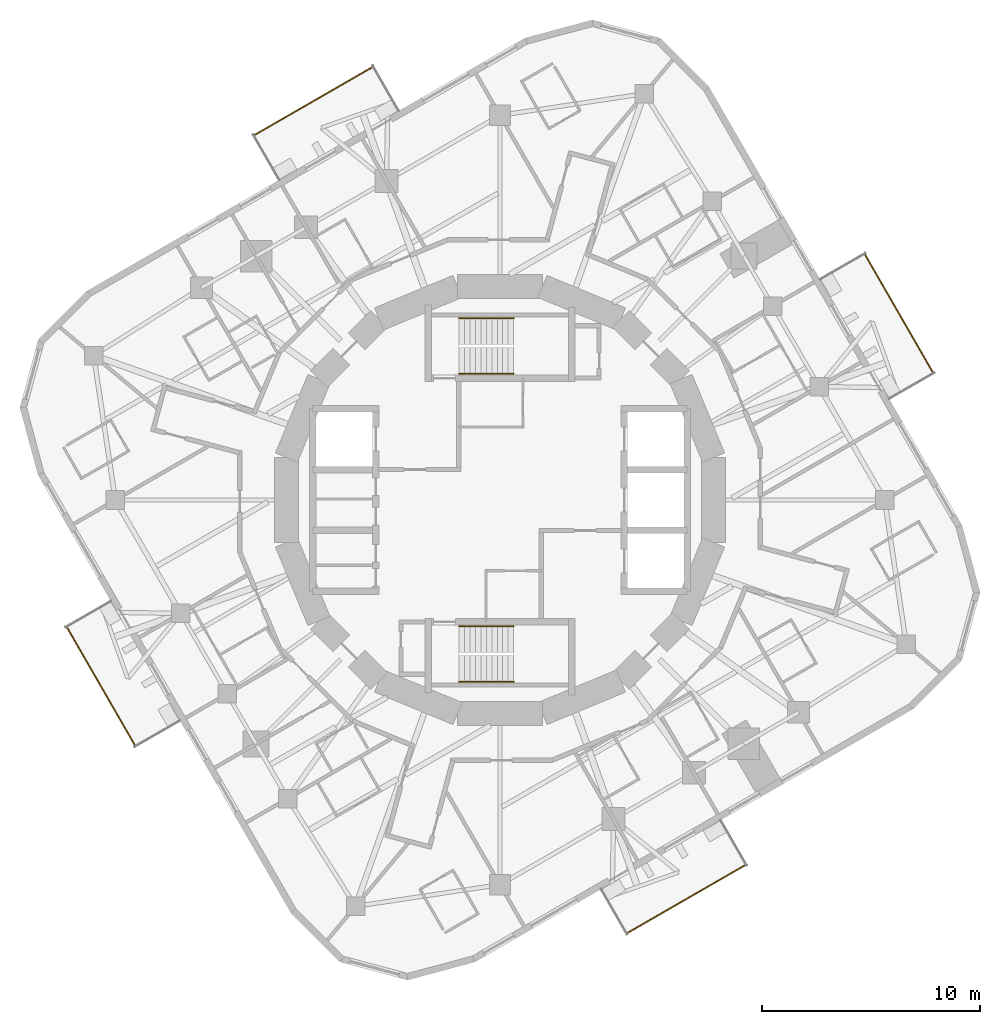
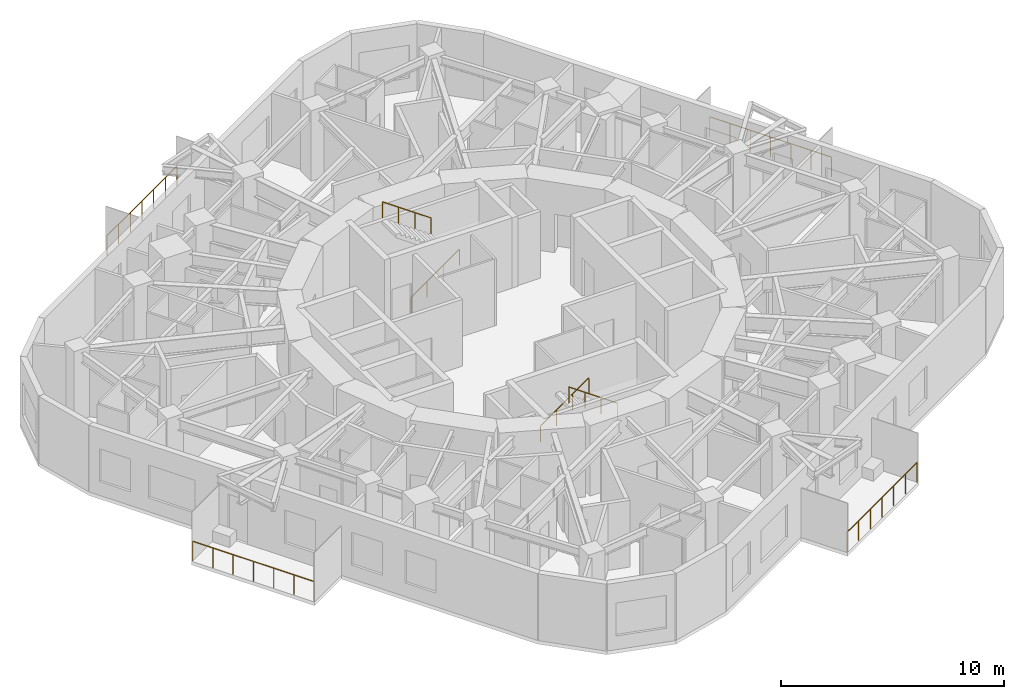
# One storey, part 10 of 11: 8 railings.
"""IFC4 building model written with IfcOpenShell, lengths in metres."""

from ifc_helpers import new_model, si_unit, direction, frame, origin, origin_2d, place, context, subcontext, project, spatial, circle, extrude, material, type_object, element, save


model = new_model("IFC4")

# Units and contexts
model_context = context("Model", 3, precision=1e-05, world=origin(), true_north=direction((0.0, 1.0)))
body_context = subcontext(model_context, "Body", "Model", "MODEL_VIEW")
ifc_project = project(units=[si_unit("LENGTHUNIT", "METRE"), si_unit("AREAUNIT", "SQUARE_METRE"), si_unit("VOLUMEUNIT", "CUBIC_METRE"), si_unit("PLANEANGLEUNIT", "RADIAN"), si_unit("MASSUNIT", "GRAM", prefix="KILO")], contexts=[model_context])

# Site, building, storey
site_placement = place(None, origin())
site = spatial("IfcSite", under=ifc_project, at=site_placement, CompositionType="ELEMENT")
building_placement = place(site_placement, origin())
building = spatial("IfcBuilding", under=site, at=building_placement, Name="Nakasero Lantern House", CompositionType="ELEMENT")
storey_placement = place(building_placement, frame((0.0, 0.0, 238.5)))
storey = spatial("IfcBuildingStorey", under=building, at=storey_placement, Name="L58", CompositionType="ELEMENT", Elevation=238.5)

# Railings
ifc_material_1 = material(Name="Aluminium 6063-T6", Category="aluminium")
railing_type_1 = type_object("IfcRailingType", Name="Balcony guard 1100", PredefinedType="BALUSTRADE", material=ifc_material_1)
railing_1_placement = place(storey_placement, frame((19.894775390625, 5.84130859375, 0.0)))
element("IfcRailing", 1, at=railing_1_placement, inside=storey, type_object=railing_type_1, Name="Balcony guard L58 BAL0", PredefinedType="BALUSTRADE", context=body_context, shape_type="SweptSolid", body=[
    extrude(circle(Radius=0.02392578125, at=origin_2d()), frame((0.0, 0.0, 1.076171875), z_axis=(-0.500007975732, 0.866020798945, 0.0), x_axis=(-0.866020798945, -0.500007975732, 0.0)), (0.0, 0.0, 1.0), 6.29150390625),
    extrude(circle(Radius=0.02099609375, at=origin_2d()), origin(), (0.0, 0.0, 1.0), 1.052001953125),
    extrude(circle(Radius=0.02099609375, at=origin_2d()), frame((-0.5244140625, 0.908203125, 0.0)), (0.0, 0.0, 1.0), 1.052001953125),
    extrude(circle(Radius=0.02099609375, at=origin_2d()), frame((-1.048583984375, 1.816162109375, 0.0)), (0.0, 0.0, 1.0), 1.052001953125),
    extrude(circle(Radius=0.02099609375, at=origin_2d()), frame((-1.57275390625, 2.72412109375, 0.0)), (0.0, 0.0, 1.0), 1.052001953125),
    extrude(circle(Radius=0.02099609375, at=origin_2d()), frame((-2.09716796875, 3.63232421875, 0.0)), (0.0, 0.0, 1.0), 1.052001953125),
    extrude(circle(Radius=0.02099609375, at=origin_2d()), frame((-2.62158203125, 4.54052734375, 0.0)), (0.0, 0.0, 1.0), 1.052001953125),
    extrude(circle(Radius=0.02099609375, at=origin_2d()), frame((-3.145751953125, 5.448486328125, 0.0)), (0.0, 0.0, 1.0), 1.052001953125),
])
railing_2_placement = place(storey_placement, frame((-5.84130859375, 19.894775390625, 0.0)))
element("IfcRailing", 2, at=railing_2_placement, inside=storey, type_object=railing_type_1, Name="Balcony guard L58 BAL1", PredefinedType="BALUSTRADE", context=body_context, shape_type="SweptSolid", body=[
    extrude(circle(Radius=0.02392578125, at=origin_2d()), frame((0.0, 0.0, 1.076171875), z_axis=(-0.866020798945, -0.500007975732, 0.0), x_axis=(0.500007975732, -0.866020798945, 0.0)), (0.0, 0.0, 1.0), 6.29150390625),
    extrude(circle(Radius=0.02099609375, at=origin_2d()), origin(), (0.0, 0.0, 1.0), 1.052001953125),
    extrude(circle(Radius=0.02099609375, at=origin_2d()), frame((-0.908203125, -0.5244140625, 0.0)), (0.0, 0.0, 1.0), 1.052001953125),
    extrude(circle(Radius=0.02099609375, at=origin_2d()), frame((-1.816162109375, -1.048583984375, 0.0)), (0.0, 0.0, 1.0), 1.052001953125),
    extrude(circle(Radius=0.02099609375, at=origin_2d()), frame((-2.72412109375, -1.57275390625, 0.0)), (0.0, 0.0, 1.0), 1.052001953125),
    extrude(circle(Radius=0.02099609375, at=origin_2d()), frame((-3.63232421875, -2.09716796875, 0.0)), (0.0, 0.0, 1.0), 1.052001953125),
    extrude(circle(Radius=0.02099609375, at=origin_2d()), frame((-4.54052734375, -2.62158203125, 0.0)), (0.0, 0.0, 1.0), 1.052001953125),
    extrude(circle(Radius=0.02099609375, at=origin_2d()), frame((-5.448486328125, -3.145751953125, 0.0)), (0.0, 0.0, 1.0), 1.052001953125),
])
railing_3_placement = place(storey_placement, frame((-19.894775390625, -5.84130859375, 0.0)))
element("IfcRailing", 3, at=railing_3_placement, inside=storey, type_object=railing_type_1, Name="Balcony guard L58 BAL2", PredefinedType="BALUSTRADE", context=body_context, shape_type="SweptSolid", body=[
    extrude(circle(Radius=0.02392578125, at=origin_2d()), frame((0.0, 0.0, 1.076171875), z_axis=(0.500007975732, -0.866020798945, 0.0), x_axis=(0.866020798945, 0.500007975732, 0.0)), (0.0, 0.0, 1.0), 6.29150390625),
    extrude(circle(Radius=0.02099609375, at=origin_2d()), origin(), (0.0, 0.0, 1.0), 1.052001953125),
    extrude(circle(Radius=0.02099609375, at=origin_2d()), frame((0.5244140625, -0.908203125, 0.0)), (0.0, 0.0, 1.0), 1.052001953125),
    extrude(circle(Radius=0.02099609375, at=origin_2d()), frame((1.048583984375, -1.816162109375, 0.0)), (0.0, 0.0, 1.0), 1.052001953125),
    extrude(circle(Radius=0.02099609375, at=origin_2d()), frame((1.57275390625, -2.72412109375, 0.0)), (0.0, 0.0, 1.0), 1.052001953125),
    extrude(circle(Radius=0.02099609375, at=origin_2d()), frame((2.09716796875, -3.63232421875, 0.0)), (0.0, 0.0, 1.0), 1.052001953125),
    extrude(circle(Radius=0.02099609375, at=origin_2d()), frame((2.62158203125, -4.54052734375, 0.0)), (0.0, 0.0, 1.0), 1.052001953125),
    extrude(circle(Radius=0.02099609375, at=origin_2d()), frame((3.145751953125, -5.448486328125, 0.0)), (0.0, 0.0, 1.0), 1.052001953125),
])
railing_4_placement = place(storey_placement, frame((5.84130859375, -19.894775390625, 0.0)))
element("IfcRailing", 4, at=railing_4_placement, inside=storey, type_object=railing_type_1, Name="Balcony guard L58 BAL3", PredefinedType="BALUSTRADE", context=body_context, shape_type="SweptSolid", body=[
    extrude(circle(Radius=0.02392578125, at=origin_2d()), frame((0.0, 0.0, 1.076171875), z_axis=(0.866020798945, 0.500007975732, 0.0), x_axis=(-0.500007975732, 0.866020798945, 0.0)), (0.0, 0.0, 1.0), 6.29150390625),
    extrude(circle(Radius=0.02099609375, at=origin_2d()), origin(), (0.0, 0.0, 1.0), 1.052001953125),
    extrude(circle(Radius=0.02099609375, at=origin_2d()), frame((0.908203125, 0.5244140625, 0.0)), (0.0, 0.0, 1.0), 1.052001953125),
    extrude(circle(Radius=0.02099609375, at=origin_2d()), frame((1.816162109375, 1.048583984375, 0.0)), (0.0, 0.0, 1.0), 1.052001953125),
    extrude(circle(Radius=0.02099609375, at=origin_2d()), frame((2.72412109375, 1.57275390625, 0.0)), (0.0, 0.0, 1.0), 1.052001953125),
    extrude(circle(Radius=0.02099609375, at=origin_2d()), frame((3.63232421875, 2.09716796875, 0.0)), (0.0, 0.0, 1.0), 1.052001953125),
    extrude(circle(Radius=0.02099609375, at=origin_2d()), frame((4.54052734375, 2.62158203125, 0.0)), (0.0, 0.0, 1.0), 1.052001953125),
    extrude(circle(Radius=0.02099609375, at=origin_2d()), frame((5.448486328125, 3.145751953125, 0.0)), (0.0, 0.0, 1.0), 1.052001953125),
])
ifc_material_2 = material(Name="Stainless steel 316", Category="steel")
railing_type_2 = type_object("IfcRailingType", Name="Stair handrail 900", PredefinedType="HANDRAIL", material=ifc_material_2)
railing_5_placement = place(storey_placement, frame((-1.875, 5.800048828125, 0.175048828125)))
element("IfcRailing", 5, at=railing_5_placement, inside=storey, type_object=railing_type_2, Name="Handrail ST1 L58 flight 1", PredefinedType="HANDRAIL", context=body_context, shape_type="SweptSolid", body=[
    extrude(circle(Radius=0.02392578125, at=origin_2d()), frame((0.0, 0.0, 0.8759765625), z_axis=(0.819231920519, 0.0, 0.573462344363), x_axis=(0.0, 1.0, 0.0)), (0.0, 0.0, 1.0), 3.0517578125),
    extrude(circle(Radius=0.02099609375, at=origin_2d()), origin(), (0.0, 0.0, 1.0), 0.851806640625),
    extrude(circle(Radius=0.02099609375, at=origin_2d()), frame((0.833251953125, 0.0, 0.583251953125)), (0.0, 0.0, 1.0), 0.851806640625),
    extrude(circle(Radius=0.02099609375, at=origin_2d()), frame((1.666748046875, 0.0, 1.166748046875)), (0.0, 0.0, 1.0), 0.851806640625),
    extrude(circle(Radius=0.02099609375, at=origin_2d()), frame((2.5, 0.0, 1.75)), (0.0, 0.0, 1.0), 0.851806640625),
])
railing_6_placement = place(storey_placement, frame((0.625, 8.35009765625, 2.10009765625)))
element("IfcRailing", 6, at=railing_6_placement, inside=storey, type_object=railing_type_2, Name="Handrail ST1 L58 flight 2", PredefinedType="HANDRAIL", context=body_context, shape_type="SweptSolid", body=[
    extrude(circle(Radius=0.02392578125, at=origin_2d()), frame((0.0, 0.0, 0.8759765625), z_axis=(-0.819231920519, 0.0, 0.573462344363), x_axis=(0.0, -1.0, 0.0)), (0.0, 0.0, 1.0), 3.0517578125),
    extrude(circle(Radius=0.02099609375, at=origin_2d()), origin(), (0.0, 0.0, 1.0), 0.851806640625),
    extrude(circle(Radius=0.02099609375, at=origin_2d()), frame((-0.833251953125, 0.0, 0.583251953125)), (0.0, 0.0, 1.0), 0.851806640625),
    extrude(circle(Radius=0.02099609375, at=origin_2d()), frame((-1.666748046875, 0.0, 1.166748046875)), (0.0, 0.0, 1.0), 0.851806640625),
    extrude(circle(Radius=0.02099609375, at=origin_2d()), frame((-2.5, 0.0, 1.75)), (0.0, 0.0, 1.0), 0.851806640625),
])
railing_7_placement = place(storey_placement, frame((-1.875, -5.800048828125, 0.175048828125)))
element("IfcRailing", 7, at=railing_7_placement, inside=storey, type_object=railing_type_2, Name="Handrail ST2 L58 flight 1", PredefinedType="HANDRAIL", context=body_context, shape_type="SweptSolid", body=[
    extrude(circle(Radius=0.02392578125, at=origin_2d()), frame((0.0, 0.0, 0.8759765625), z_axis=(0.819231920519, 0.0, 0.573462344363), x_axis=(0.0, 1.0, 0.0)), (0.0, 0.0, 1.0), 3.0517578125),
    extrude(circle(Radius=0.02099609375, at=origin_2d()), origin(), (0.0, 0.0, 1.0), 0.851806640625),
    extrude(circle(Radius=0.02099609375, at=origin_2d()), frame((0.833251953125, 0.0, 0.583251953125)), (0.0, 0.0, 1.0), 0.851806640625),
    extrude(circle(Radius=0.02099609375, at=origin_2d()), frame((1.666748046875, 0.0, 1.166748046875)), (0.0, 0.0, 1.0), 0.851806640625),
    extrude(circle(Radius=0.02099609375, at=origin_2d()), frame((2.5, 0.0, 1.75)), (0.0, 0.0, 1.0), 0.851806640625),
])
railing_8_placement = place(storey_placement, frame((0.625, -8.35009765625, 2.10009765625)))
element("IfcRailing", 8, at=railing_8_placement, inside=storey, type_object=railing_type_2, Name="Handrail ST2 L58 flight 2", PredefinedType="HANDRAIL", context=body_context, shape_type="SweptSolid", body=[
    extrude(circle(Radius=0.02392578125, at=origin_2d()), frame((0.0, 0.0, 0.8759765625), z_axis=(-0.819231920519, 0.0, 0.573462344363), x_axis=(0.0, -1.0, 0.0)), (0.0, 0.0, 1.0), 3.0517578125),
    extrude(circle(Radius=0.02099609375, at=origin_2d()), origin(), (0.0, 0.0, 1.0), 0.851806640625),
    extrude(circle(Radius=0.02099609375, at=origin_2d()), frame((-0.833251953125, 0.0, 0.583251953125)), (0.0, 0.0, 1.0), 0.851806640625),
    extrude(circle(Radius=0.02099609375, at=origin_2d()), frame((-1.666748046875, 0.0, 1.166748046875)), (0.0, 0.0, 1.0), 0.851806640625),
    extrude(circle(Radius=0.02099609375, at=origin_2d()), frame((-2.5, 0.0, 1.75)), (0.0, 0.0, 1.0), 0.851806640625),
])

save(model, "model.ifc")
